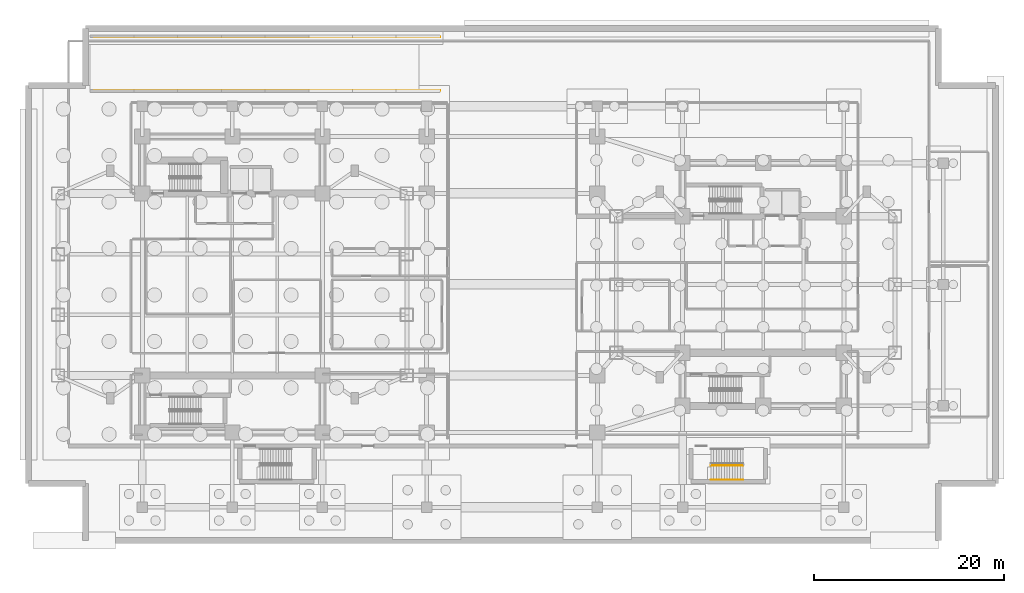
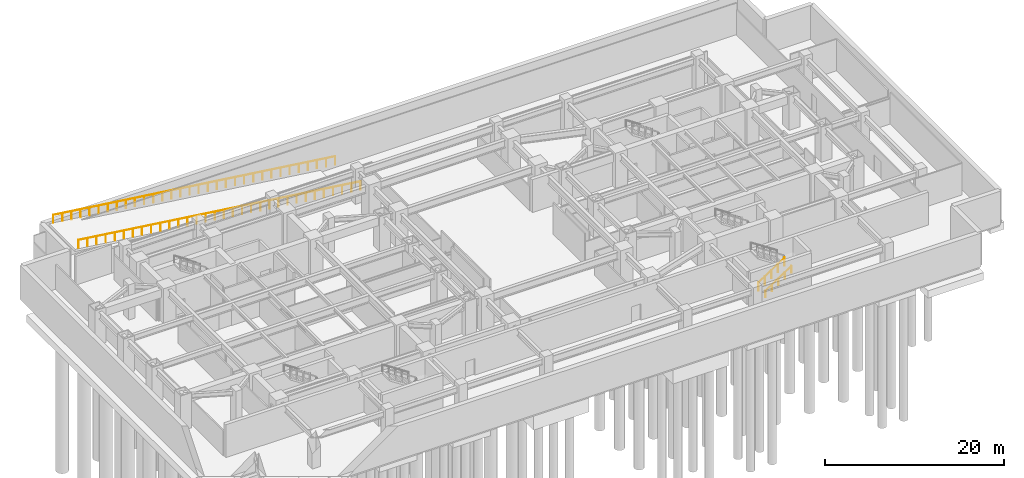
# One storey, part 14 of 16: 4 railings.
"""IFC4 building model written with IfcOpenShell, lengths in metres."""

from ifc_helpers import new_model, si_unit, direction, frame, origin, origin_2d, place, context, subcontext, project, spatial, circle, extrude, material, type_object, element, save


model = new_model("IFC4")

# Units and contexts
model_context = context("Model", 3, precision=1e-05, world=origin(), true_north=direction((0.0, 1.0)))
body_context = subcontext(model_context, "Body", "Model", "MODEL_VIEW")
ifc_project = project(units=[si_unit("LENGTHUNIT", "METRE"), si_unit("AREAUNIT", "SQUARE_METRE"), si_unit("VOLUMEUNIT", "CUBIC_METRE"), si_unit("PLANEANGLEUNIT", "RADIAN"), si_unit("MASSUNIT", "GRAM", prefix="KILO")], contexts=[model_context])

# Site, building, storey
site_placement = place(None, origin())
site = spatial("IfcSite", under=ifc_project, at=site_placement, CompositionType="ELEMENT")
building_placement = place(site_placement, origin())
building = spatial("IfcBuilding", under=site, at=building_placement, Name="Mirazonda Arch Towers", CompositionType="ELEMENT")
storey_placement = place(building_placement, frame((0.0, 0.0, -4.800048828125)))
storey = spatial("IfcBuildingStorey", under=building, at=storey_placement, Name="B1", CompositionType="ELEMENT", Elevation=-4.800048828125)

# Railings
ifc_material = material(Name="Architectural Brushed Steel S355", Category="steel")
railing_type_1 = type_object("IfcRailingType", Name="GUARD-EXT-1150", PredefinedType="GUARDRAIL", material=ifc_material)
railing_1_placement = place(storey_placement, frame((42.39990234375, 48.47998046875, 0.0)))
element("IfcRailing", 1, at=railing_1_placement, inside=storey, type_object=railing_type_1, Name="Vehicle Ramp Kerb Guard 1", PredefinedType="GUARDRAIL", context=body_context, shape_type="SweptSolid", body=[
    extrude(circle(Radius=0.02392578125, at=origin_2d()), frame((0.0, 0.0, 1.1259765625), z_axis=(-0.991615552156, 0.0, 0.129223050273), x_axis=(0.0, -1.0, 0.0)), (0.0, 0.0, 1.0), 36.758056640625),
    extrude(circle(Radius=0.02099609375, at=origin_2d()), origin(), (0.0, 0.0, 1.0), 1.101806640625),
    extrude(circle(Radius=0.02099609375, at=origin_2d()), frame((-1.17578125, 0.0, 0.1533203125)), (0.0, 0.0, 1.0), 1.101806640625),
    extrude(circle(Radius=0.02099609375, at=origin_2d()), frame((-2.3515625, 0.0, 0.306396484375)), (0.0, 0.0, 1.0), 1.101806640625),
    extrude(circle(Radius=0.02099609375, at=origin_2d()), frame((-3.52734375, 0.0, 0.459716796875)), (0.0, 0.0, 1.0), 1.101806640625),
    extrude(circle(Radius=0.02099609375, at=origin_2d()), frame((-4.703125, 0.0, 0.61279296875)), (0.0, 0.0, 1.0), 1.101806640625),
    extrude(circle(Radius=0.02099609375, at=origin_2d()), frame((-5.87890625, 0.0, 0.76611328125)), (0.0, 0.0, 1.0), 1.101806640625),
    extrude(circle(Radius=0.02099609375, at=origin_2d()), frame((-7.054931640625, 0.0, 0.91943359375)), (0.0, 0.0, 1.0), 1.101806640625),
    extrude(circle(Radius=0.02099609375, at=origin_2d()), frame((-8.230712890625, 0.0, 1.072509765625)), (0.0, 0.0, 1.0), 1.101806640625),
    extrude(circle(Radius=0.02099609375, at=origin_2d()), frame((-9.406494140625, 0.0, 1.225830078125)), (0.0, 0.0, 1.0), 1.101806640625),
    extrude(circle(Radius=0.02099609375, at=origin_2d()), frame((-10.582275390625, 0.0, 1.379150390625)), (0.0, 0.0, 1.0), 1.101806640625),
    extrude(circle(Radius=0.02099609375, at=origin_2d()), frame((-11.758056640625, 0.0, 1.5322265625)), (0.0, 0.0, 1.0), 1.101806640625),
    extrude(circle(Radius=0.02099609375, at=origin_2d()), frame((-12.933837890625, 0.0, 1.685546875)), (0.0, 0.0, 1.0), 1.101806640625),
    extrude(circle(Radius=0.02099609375, at=origin_2d()), frame((-14.109619140625, 0.0, 1.838623046875)), (0.0, 0.0, 1.0), 1.101806640625),
    extrude(circle(Radius=0.02099609375, at=origin_2d()), frame((-15.285400390625, 0.0, 1.991943359375)), (0.0, 0.0, 1.0), 1.101806640625),
    extrude(circle(Radius=0.02099609375, at=origin_2d()), frame((-16.461181640625, 0.0, 2.145263671875)), (0.0, 0.0, 1.0), 1.101806640625),
    extrude(circle(Radius=0.02099609375, at=origin_2d()), frame((-17.636962890625, 0.0, 2.29833984375)), (0.0, 0.0, 1.0), 1.101806640625),
    extrude(circle(Radius=0.02099609375, at=origin_2d()), frame((-18.81298828125, 0.0, 2.45166015625)), (0.0, 0.0, 1.0), 1.101806640625),
    extrude(circle(Radius=0.02099609375, at=origin_2d()), frame((-19.98876953125, 0.0, 2.604736328125)), (0.0, 0.0, 1.0), 1.101806640625),
    extrude(circle(Radius=0.02099609375, at=origin_2d()), frame((-21.16455078125, 0.0, 2.758056640625)), (0.0, 0.0, 1.0), 1.101806640625),
    extrude(circle(Radius=0.02099609375, at=origin_2d()), frame((-22.34033203125, 0.0, 2.911376953125)), (0.0, 0.0, 1.0), 1.101806640625),
    extrude(circle(Radius=0.02099609375, at=origin_2d()), frame((-23.51611328125, 0.0, 3.064453125)), (0.0, 0.0, 1.0), 1.101806640625),
    extrude(circle(Radius=0.02099609375, at=origin_2d()), frame((-24.69189453125, 0.0, 3.2177734375)), (0.0, 0.0, 1.0), 1.101806640625),
    extrude(circle(Radius=0.02099609375, at=origin_2d()), frame((-25.86767578125, 0.0, 3.370849609375)), (0.0, 0.0, 1.0), 1.101806640625),
    extrude(circle(Radius=0.02099609375, at=origin_2d()), frame((-27.04345703125, 0.0, 3.524169921875)), (0.0, 0.0, 1.0), 1.101806640625),
    extrude(circle(Radius=0.02099609375, at=origin_2d()), frame((-28.21923828125, 0.0, 3.677490234375)), (0.0, 0.0, 1.0), 1.101806640625),
    extrude(circle(Radius=0.02099609375, at=origin_2d()), frame((-29.39501953125, 0.0, 3.83056640625)), (0.0, 0.0, 1.0), 1.101806640625),
    extrude(circle(Radius=0.02099609375, at=origin_2d()), frame((-30.571044921875, 0.0, 3.98388671875)), (0.0, 0.0, 1.0), 1.101806640625),
    extrude(circle(Radius=0.02099609375, at=origin_2d()), frame((-31.746826171875, 0.0, 4.13720703125)), (0.0, 0.0, 1.0), 1.101806640625),
    extrude(circle(Radius=0.02099609375, at=origin_2d()), frame((-32.922607421875, 0.0, 4.290283203125)), (0.0, 0.0, 1.0), 1.101806640625),
    extrude(circle(Radius=0.02099609375, at=origin_2d()), frame((-34.098388671875, 0.0, 4.443603515625)), (0.0, 0.0, 1.0), 1.101806640625),
    extrude(circle(Radius=0.02099609375, at=origin_2d()), frame((-35.274169921875, 0.0, 4.5966796875)), (0.0, 0.0, 1.0), 1.101806640625),
    extrude(circle(Radius=0.02099609375, at=origin_2d()), frame((-36.449951171875, 0.0, 4.75)), (0.0, 0.0, 1.0), 1.101806640625),
])
railing_2_placement = place(storey_placement, frame((42.39990234375, 54.1201171875, 0.0)))
element("IfcRailing", 2, at=railing_2_placement, inside=storey, type_object=railing_type_1, Name="Vehicle Ramp Kerb Guard 2", PredefinedType="GUARDRAIL", context=body_context, shape_type="SweptSolid", body=[
    extrude(circle(Radius=0.02392578125, at=origin_2d()), frame((0.0, 0.0, 1.1259765625), z_axis=(-0.991615552156, 0.0, 0.129223050273), x_axis=(0.0, -1.0, 0.0)), (0.0, 0.0, 1.0), 36.758056640625),
    extrude(circle(Radius=0.02099609375, at=origin_2d()), origin(), (0.0, 0.0, 1.0), 1.101806640625),
    extrude(circle(Radius=0.02099609375, at=origin_2d()), frame((-1.17578125, 0.0, 0.1533203125)), (0.0, 0.0, 1.0), 1.101806640625),
    extrude(circle(Radius=0.02099609375, at=origin_2d()), frame((-2.3515625, 0.0, 0.306396484375)), (0.0, 0.0, 1.0), 1.101806640625),
    extrude(circle(Radius=0.02099609375, at=origin_2d()), frame((-3.52734375, 0.0, 0.459716796875)), (0.0, 0.0, 1.0), 1.101806640625),
    extrude(circle(Radius=0.02099609375, at=origin_2d()), frame((-4.703125, 0.0, 0.61279296875)), (0.0, 0.0, 1.0), 1.101806640625),
    extrude(circle(Radius=0.02099609375, at=origin_2d()), frame((-5.87890625, 0.0, 0.76611328125)), (0.0, 0.0, 1.0), 1.101806640625),
    extrude(circle(Radius=0.02099609375, at=origin_2d()), frame((-7.054931640625, 0.0, 0.91943359375)), (0.0, 0.0, 1.0), 1.101806640625),
    extrude(circle(Radius=0.02099609375, at=origin_2d()), frame((-8.230712890625, 0.0, 1.072509765625)), (0.0, 0.0, 1.0), 1.101806640625),
    extrude(circle(Radius=0.02099609375, at=origin_2d()), frame((-9.406494140625, 0.0, 1.225830078125)), (0.0, 0.0, 1.0), 1.101806640625),
    extrude(circle(Radius=0.02099609375, at=origin_2d()), frame((-10.582275390625, 0.0, 1.379150390625)), (0.0, 0.0, 1.0), 1.101806640625),
    extrude(circle(Radius=0.02099609375, at=origin_2d()), frame((-11.758056640625, 0.0, 1.5322265625)), (0.0, 0.0, 1.0), 1.101806640625),
    extrude(circle(Radius=0.02099609375, at=origin_2d()), frame((-12.933837890625, 0.0, 1.685546875)), (0.0, 0.0, 1.0), 1.101806640625),
    extrude(circle(Radius=0.02099609375, at=origin_2d()), frame((-14.109619140625, 0.0, 1.838623046875)), (0.0, 0.0, 1.0), 1.101806640625),
    extrude(circle(Radius=0.02099609375, at=origin_2d()), frame((-15.285400390625, 0.0, 1.991943359375)), (0.0, 0.0, 1.0), 1.101806640625),
    extrude(circle(Radius=0.02099609375, at=origin_2d()), frame((-16.461181640625, 0.0, 2.145263671875)), (0.0, 0.0, 1.0), 1.101806640625),
    extrude(circle(Radius=0.02099609375, at=origin_2d()), frame((-17.636962890625, 0.0, 2.29833984375)), (0.0, 0.0, 1.0), 1.101806640625),
    extrude(circle(Radius=0.02099609375, at=origin_2d()), frame((-18.81298828125, 0.0, 2.45166015625)), (0.0, 0.0, 1.0), 1.101806640625),
    extrude(circle(Radius=0.02099609375, at=origin_2d()), frame((-19.98876953125, 0.0, 2.604736328125)), (0.0, 0.0, 1.0), 1.101806640625),
    extrude(circle(Radius=0.02099609375, at=origin_2d()), frame((-21.16455078125, 0.0, 2.758056640625)), (0.0, 0.0, 1.0), 1.101806640625),
    extrude(circle(Radius=0.02099609375, at=origin_2d()), frame((-22.34033203125, 0.0, 2.911376953125)), (0.0, 0.0, 1.0), 1.101806640625),
    extrude(circle(Radius=0.02099609375, at=origin_2d()), frame((-23.51611328125, 0.0, 3.064453125)), (0.0, 0.0, 1.0), 1.101806640625),
    extrude(circle(Radius=0.02099609375, at=origin_2d()), frame((-24.69189453125, 0.0, 3.2177734375)), (0.0, 0.0, 1.0), 1.101806640625),
    extrude(circle(Radius=0.02099609375, at=origin_2d()), frame((-25.86767578125, 0.0, 3.370849609375)), (0.0, 0.0, 1.0), 1.101806640625),
    extrude(circle(Radius=0.02099609375, at=origin_2d()), frame((-27.04345703125, 0.0, 3.524169921875)), (0.0, 0.0, 1.0), 1.101806640625),
    extrude(circle(Radius=0.02099609375, at=origin_2d()), frame((-28.21923828125, 0.0, 3.677490234375)), (0.0, 0.0, 1.0), 1.101806640625),
    extrude(circle(Radius=0.02099609375, at=origin_2d()), frame((-29.39501953125, 0.0, 3.83056640625)), (0.0, 0.0, 1.0), 1.101806640625),
    extrude(circle(Radius=0.02099609375, at=origin_2d()), frame((-30.571044921875, 0.0, 3.98388671875)), (0.0, 0.0, 1.0), 1.101806640625),
    extrude(circle(Radius=0.02099609375, at=origin_2d()), frame((-31.746826171875, 0.0, 4.13720703125)), (0.0, 0.0, 1.0), 1.101806640625),
    extrude(circle(Radius=0.02099609375, at=origin_2d()), frame((-32.922607421875, 0.0, 4.290283203125)), (0.0, 0.0, 1.0), 1.101806640625),
    extrude(circle(Radius=0.02099609375, at=origin_2d()), frame((-34.098388671875, 0.0, 4.443603515625)), (0.0, 0.0, 1.0), 1.101806640625),
    extrude(circle(Radius=0.02099609375, at=origin_2d()), frame((-35.274169921875, 0.0, 4.5966796875)), (0.0, 0.0, 1.0), 1.101806640625),
    extrude(circle(Radius=0.02099609375, at=origin_2d()), frame((-36.449951171875, 0.0, 4.75)), (0.0, 0.0, 1.0), 1.101806640625),
])
railing_type_2 = type_object("IfcRailingType", Name="GUARD-STAIR-1120", PredefinedType="GUARDRAIL", material=ifc_material)
railing_3_placement = place(storey_placement, frame((71.0, 8.89990234375, 0.1845703125)))
element("IfcRailing", 3, at=railing_3_placement, inside=storey, type_object=railing_type_2, Name="B1 ST-POD2 stair guard 1", PredefinedType="GUARDRAIL", context=body_context, shape_type="SweptSolid", body=[
    extrude(circle(Radius=0.02392578125, at=origin_2d()), frame((0.0, 0.0, 1.1259765625), z_axis=(0.834848600103, 0.0, 0.550479622607), x_axis=(0.0, 1.0, 0.0)), (0.0, 0.0, 1.0), 4.02490234375),
    extrude(circle(Radius=0.02099609375, at=origin_2d()), origin(), (0.0, 0.0, 1.0), 1.101806640625),
    extrude(circle(Radius=0.02099609375, at=origin_2d()), frame((0.840087890625, 0.0, 0.553955078125)), (0.0, 0.0, 1.0), 1.101806640625),
    extrude(circle(Radius=0.02099609375, at=origin_2d()), frame((1.68017578125, 0.0, 1.10791015625)), (0.0, 0.0, 1.0), 1.101806640625),
    extrude(circle(Radius=0.02099609375, at=origin_2d()), frame((2.52001953125, 0.0, 1.66162109375)), (0.0, 0.0, 1.0), 1.101806640625),
    extrude(circle(Radius=0.02099609375, at=origin_2d()), frame((3.360107421875, 0.0, 2.215576171875)), (0.0, 0.0, 1.0), 1.101806640625),
])
railing_type_3 = type_object("IfcRailingType", Name="HANDRAIL-915", PredefinedType="HANDRAIL", material=ifc_material)
railing_4_placement = place(storey_placement, frame((71.0, 7.39990234375, 0.1845703125)))
element("IfcRailing", 4, at=railing_4_placement, inside=storey, type_object=railing_type_3, Name="B1 ST-POD2 stair handrail 1", PredefinedType="HANDRAIL", context=body_context, shape_type="SweptSolid", body=[
    extrude(circle(Radius=0.02392578125, at=origin_2d()), frame((0.0, 0.0, 0.8759765625), z_axis=(0.834848600103, 0.0, 0.550479622607), x_axis=(0.0, 1.0, 0.0)), (0.0, 0.0, 1.0), 4.02490234375),
    extrude(circle(Radius=0.02099609375, at=origin_2d()), origin(), (0.0, 0.0, 1.0), 0.851806640625),
    extrude(circle(Radius=0.02099609375, at=origin_2d()), frame((0.840087890625, 0.0, 0.553955078125)), (0.0, 0.0, 1.0), 0.851806640625),
    extrude(circle(Radius=0.02099609375, at=origin_2d()), frame((1.68017578125, 0.0, 1.10791015625)), (0.0, 0.0, 1.0), 0.851806640625),
    extrude(circle(Radius=0.02099609375, at=origin_2d()), frame((2.52001953125, 0.0, 1.66162109375)), (0.0, 0.0, 1.0), 0.851806640625),
    extrude(circle(Radius=0.02099609375, at=origin_2d()), frame((3.360107421875, 0.0, 2.215576171875)), (0.0, 0.0, 1.0), 0.851806640625),
])

save(model, "model.ifc")
